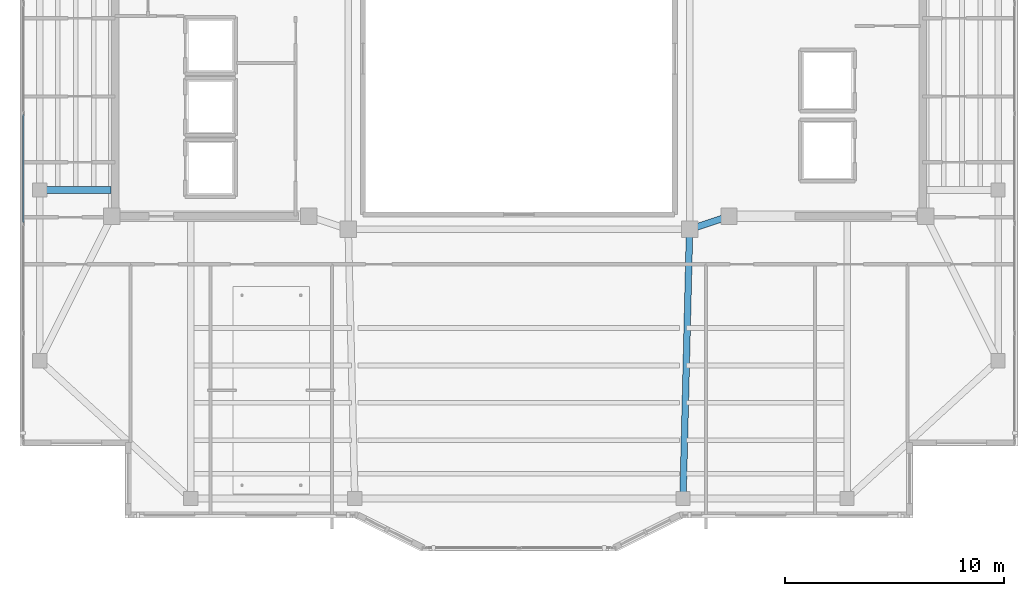
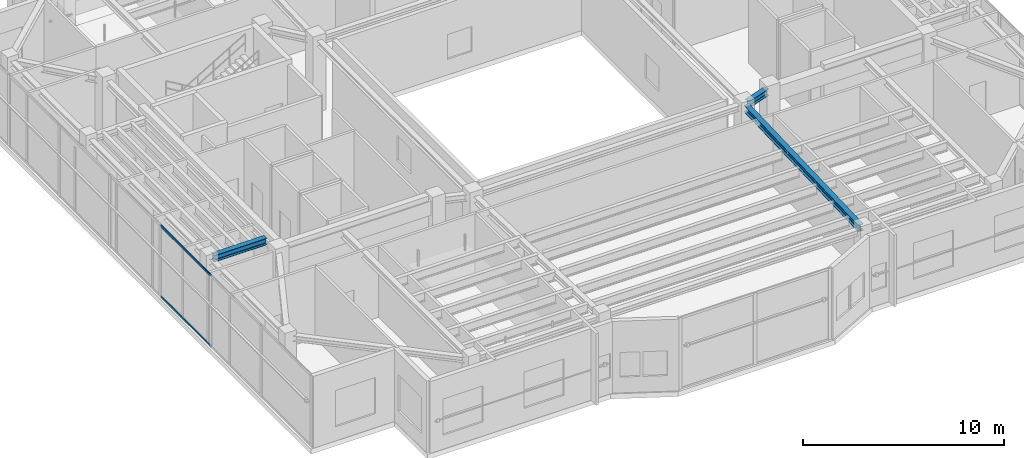
# One storey, part 4 of 25: 3 beams, 2 members, 1 element without a shape of its own.
"""IFC4 building model written with IfcOpenShell, lengths in metres."""

from ifc_helpers import new_model, si_unit, direction, frame, origin, origin_2d, place, context, subcontext, project, spatial, hollow_rectangle, i_section, extrude, material, layer, layer_set, material_profile, profile_set, type_object, element, aggregate, save


model = new_model("IFC4")

# Units and contexts
model_context = context("Model", 3, precision=1e-05, world=origin(), true_north=direction((0.0, 1.0)))
body_context = subcontext(model_context, "Body", "Model", "MODEL_VIEW")
ifc_project = project(units=[si_unit("LENGTHUNIT", "METRE"), si_unit("AREAUNIT", "SQUARE_METRE"), si_unit("VOLUMEUNIT", "CUBIC_METRE"), si_unit("PLANEANGLEUNIT", "RADIAN"), si_unit("MASSUNIT", "GRAM", prefix="KILO")], contexts=[model_context])

# Site, building, storey
site_placement = place(None, origin())
site = spatial("IfcSite", under=ifc_project, at=site_placement, CompositionType="ELEMENT")
building_placement = place(site_placement, origin())
building = spatial("IfcBuilding", under=site, at=building_placement, Name="Tarnavaz Court Tower", CompositionType="ELEMENT")
storey_placement = place(building_placement, frame((0.0, 0.0, 271.64990234375)))
storey = spatial("IfcBuildingStorey", under=building, at=storey_placement, Name="L74", CompositionType="ELEMENT", Elevation=271.64990234375)

# Beams
ifc_material_1 = material(Name="Steel S355", Category="steel")
ifc_material_profile_1 = material_profile(ifc_material_1, i_section(OverallWidth=0.300048828125, OverallDepth=0.39990234375, WebThickness=0.013427734375, FlangeThickness=0.02392578125, FilletRadius=0.027099609375, at=origin_2d()), Name="HEB 400")
ifc_profile_set_1 = profile_set([ifc_material_profile_1], Name="Steel S355")
beam_type = type_object("IfcBeamType", Name="BM-G-HEB400", PredefinedType="USERDEFINED", material=ifc_profile_set_1)
beam_1_placement = place(storey_placement, frame((9.391357421875, -7.26953125, 4.150146484375), z_axis=(-0.948666544706, -0.316278021615, 0.0), x_axis=(0.316278021615, -0.948666544706, 0.0)))
element("IfcBeam", 1, at=beam_1_placement, inside=storey, type_object=beam_type, Name="L74 Beam IN-CE-SI-IW-SE", ObjectType="GIRDER", PredefinedType="USERDEFINED", context=body_context, shape_type="SweptSolid", body=[
    extrude(i_section(OverallWidth=0.300048828125, OverallDepth=0.39990234375, WebThickness=0.013427734375, FlangeThickness=0.02392578125, FilletRadius=0.027099609375, at=origin_2d()), origin(), (0.0, 0.0, 1.0), 1.457275390625),
])
beam_2_placement = place(storey_placement, frame((7.794677734375, -8.02001953125, 4.150146484375), z_axis=(-0.024386002211, -0.99970261723, 0.0), x_axis=(0.99970261723, -0.024386002211, 0.0)))
element("IfcBeam", 2, at=beam_2_placement, inside=storey, type_object=beam_type, Name="L74 Beam RG-07", ObjectType="GIRDER", PredefinedType="USERDEFINED", context=body_context, shape_type="SweptSolid", body=[
    extrude(i_section(OverallWidth=0.300048828125, OverallDepth=0.39990234375, WebThickness=0.013427734375, FlangeThickness=0.02392578125, FilletRadius=0.027099609375, at=origin_2d()), origin(), (0.0, 0.0, 1.0), 11.863525390625),
])
beam_3_placement = place(storey_placement, frame((-18.639892578125, -6.0, 4.150146484375), z_axis=(-1.0, 0.0, 0.0), x_axis=(0.0, -1.0, 0.0)))
element("IfcBeam", 3, at=beam_3_placement, inside=storey, type_object=beam_type, Name="L74 Beam RG-13", ObjectType="GIRDER", PredefinedType="USERDEFINED", context=body_context, shape_type="SweptSolid", body=[
    extrude(i_section(OverallWidth=0.300048828125, OverallDepth=0.39990234375, WebThickness=0.013427734375, FlangeThickness=0.02392578125, FilletRadius=0.027099609375, at=origin_2d()), origin(), (0.0, 0.0, 1.0), 3.0400390625),
])

# Curtain wall, members
ifc_material_2 = material(Name="Anodised Aluminium 6063-T6 and Solar Low-E Glazing", Category="aluminium")
ifc_layer = layer(ifc_material_2, 0.2099609375)
ifc_layer_set = layer_set([ifc_layer], Name="Anodised Aluminium 6063-T6 and Solar Low-E Glazing")
curtain_wall_type = type_object("IfcCurtainWallType", Name="CW-SYS-06", PredefinedType="NOTDEFINED", material=ifc_layer_set)
curtain_wall_placement = place(storey_placement, origin())
curtain_wall = element("IfcCurtainWall", 4, at=curtain_wall_placement, inside=storey, type_object=curtain_wall_type, Name="L74 Observation Curtain Wall 2", PredefinedType="NOTDEFINED")
ifc_material_3 = material(Name="Anodised Aluminium 6063-T6", Category="aluminium")
ifc_material_profile_2 = material_profile(ifc_material_3, hollow_rectangle(XDim=0.06494140625, YDim=0.139892578125, WallThickness=0.00390625, InnerFilletRadius=0.00390625, OuterFilletRadius=0.008056640625, at=origin_2d()), Name="ALU RHS 140X65X4")
ifc_profile_set_2 = profile_set([ifc_material_profile_2], Name="Anodised Aluminium 6063-T6")
member_type = type_object("IfcMemberType", Name="CW-TRN-140", PredefinedType="USERDEFINED", material=ifc_profile_set_2)
member_1_placement = place(storey_placement, frame((-22.64990234375, -7.47900390625, 0.03271484375), z_axis=(0.0, 1.0, 0.0), x_axis=(-1.0, 0.0, 0.0)))
member_1 = element("IfcMember", 5, at=member_1_placement, type_object=member_type, Name="CW transom 3.1", ObjectType="TRANSOM", PredefinedType="USERDEFINED", context=body_context, shape_type="SweptSolid", body=[
    extrude(hollow_rectangle(XDim=0.06494140625, YDim=0.139892578125, WallThickness=0.00390625, InnerFilletRadius=0.00390625, OuterFilletRadius=0.008056640625, at=origin_2d()), origin(), (0.0, 0.0, 1.0), 4.929443359375),
])
member_2_placement = place(storey_placement, frame((-22.64990234375, -7.47900390625, 4.317626953125), z_axis=(0.0, 1.0, 0.0), x_axis=(-1.0, 0.0, 0.0)))
member_2 = element("IfcMember", 6, at=member_2_placement, type_object=member_type, Name="CW transom 3.2", ObjectType="TRANSOM", PredefinedType="USERDEFINED", context=body_context, shape_type="SweptSolid", body=[
    extrude(hollow_rectangle(XDim=0.06494140625, YDim=0.139892578125, WallThickness=0.00390625, InnerFilletRadius=0.00390625, OuterFilletRadius=0.008056640625, at=origin_2d()), origin(), (0.0, 0.0, 1.0), 4.929443359375),
])
aggregate(curtain_wall, [member_1, member_2])

save(model, "model.ifc")
